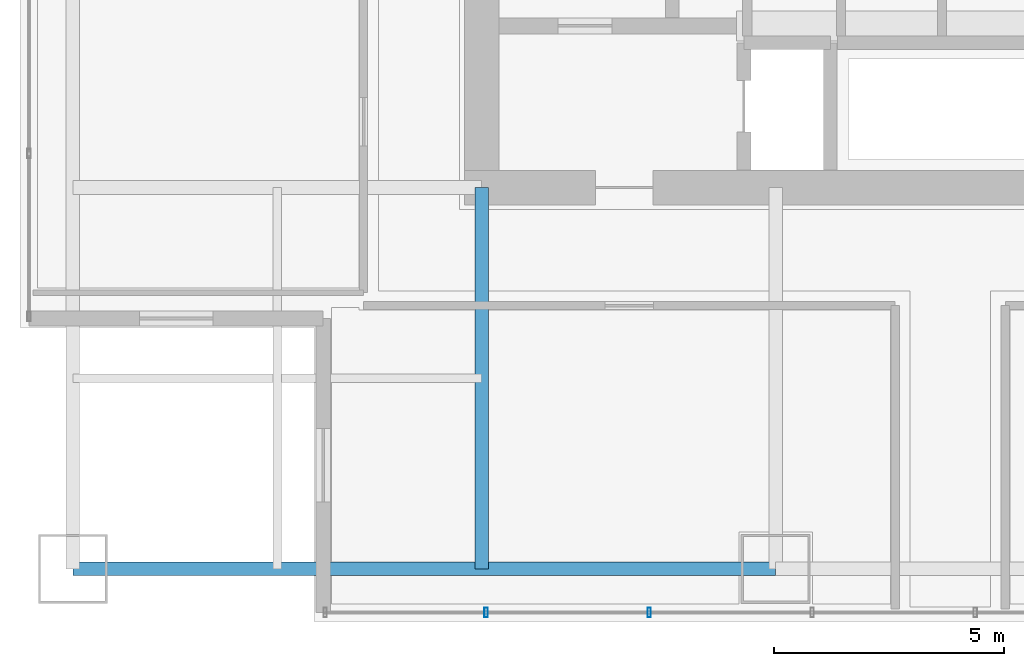
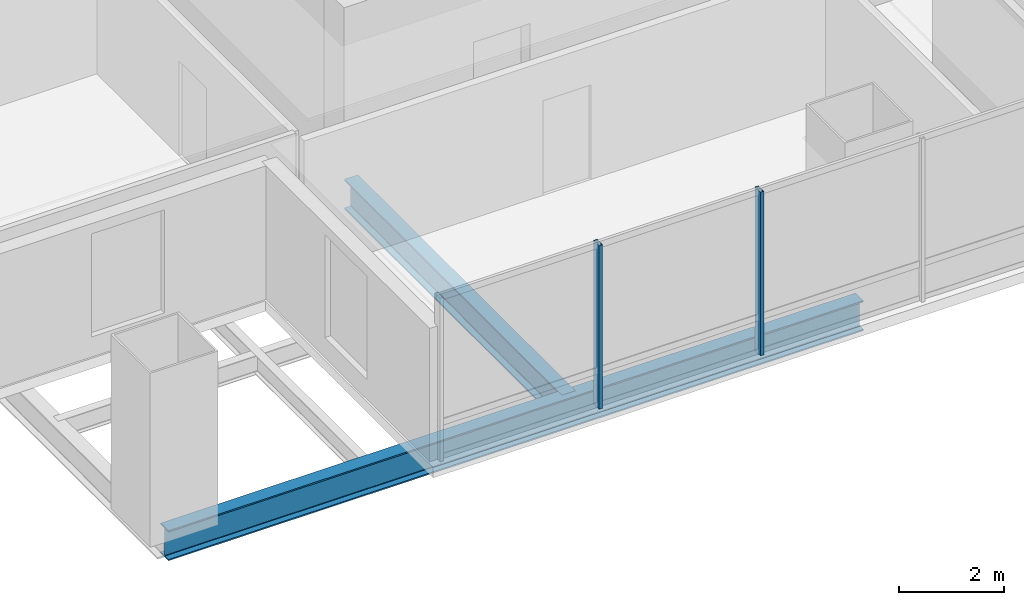
# One storey, part 3 of 34: 2 beams, 2 members, 1 element without a shape of its own.
"""IFC4 building model written with IfcOpenShell, lengths in metres."""

from ifc_helpers import new_model, si_unit, direction, frame, origin, origin_2d, place, context, subcontext, project, spatial, hollow_rectangle, i_section, extrude, material, material_profile, profile_set, type_object, element, aggregate, save


model = new_model("IFC4")

# Units and contexts
model_context = context("Model", 3, precision=1e-05, world=origin(), true_north=direction((0.0, 1.0)))
body_context = subcontext(model_context, "Body", "Model", "MODEL_VIEW")
ifc_project = project(units=[si_unit("LENGTHUNIT", "METRE"), si_unit("AREAUNIT", "SQUARE_METRE"), si_unit("VOLUMEUNIT", "CUBIC_METRE"), si_unit("PLANEANGLEUNIT", "RADIAN"), si_unit("MASSUNIT", "GRAM", prefix="KILO")], contexts=[model_context])

# Site, building, storey
site_placement = place(None, origin())
site = spatial("IfcSite", under=ifc_project, at=site_placement, CompositionType="ELEMENT")
building_placement = place(site_placement, origin())
building = spatial("IfcBuilding", under=site, at=building_placement, Name="Punatoya Terracotta Tower", CompositionType="ELEMENT")
storey_placement = place(building_placement, frame((0.0, 0.0, 117.300048828125)))
storey = spatial("IfcBuildingStorey", under=building, at=storey_placement, Name="L27", CompositionType="ELEMENT", Elevation=117.300048828125)

# Beams
ifc_material_1 = material(Name="Steel S355", Category="steel")
ifc_material_profile_1 = material_profile(ifc_material_1, i_section(OverallWidth=0.300048828125, OverallDepth=0.699951171875, WebThickness=0.01708984375, FlangeThickness=0.031982421875, FilletRadius=0.01806640625, at=origin_2d()))
ifc_profile_set_1 = profile_set([ifc_material_profile_1], Name="Steel S355")
beam_type = type_object("IfcBeamType", Name="BM-PRI-700", PredefinedType="BEAM", material=ifc_profile_set_1)
beam_1_placement = place(storey_placement, frame((-19.10009765625, -17.5, -0.590087890625), z_axis=(1.0, 0.0, 0.0), x_axis=(0.0, 1.0, 0.0)))
element("IfcBeam", 1, at=beam_1_placement, inside=storey, type_object=beam_type, Name="BM-L27-RG-S1", PredefinedType="BEAM", context=body_context, shape_type="SweptSolid", body=[
    extrude(i_section(OverallWidth=0.300048828125, OverallDepth=0.699951171875, WebThickness=0.01708984375, FlangeThickness=0.031982421875, FilletRadius=0.01806640625, at=origin_2d()), origin(), (0.0, 0.0, 1.0), 15.300048828125),
])
beam_2_placement = place(storey_placement, frame((-10.199951171875, -17.5, -0.590087890625), z_axis=(0.0, 1.0, 0.0), x_axis=(-1.0, 0.0, 0.0)))
element("IfcBeam", 2, at=beam_2_placement, inside=storey, type_object=beam_type, Name="BM-L27-PR-S1", PredefinedType="BEAM", context=body_context, shape_type="SweptSolid", body=[
    extrude(i_section(OverallWidth=0.300048828125, OverallDepth=0.699951171875, WebThickness=0.01708984375, FlangeThickness=0.031982421875, FilletRadius=0.01806640625, at=origin_2d()), origin(), (0.0, 0.0, 1.0), 8.300048828125),
])

# Curtain wall, members
ifc_material_2 = material(Name="Aluminium 6063-T6 + Double Low-E Glass", Category="aluminium")
curtain_wall_type = type_object("IfcCurtainWallType", Name="CW-M1", PredefinedType="NOTDEFINED", material=ifc_material_2)
curtain_wall_placement = place(storey_placement, origin())
curtain_wall = element("IfcCurtainWall", 3, at=curtain_wall_placement, inside=storey, type_object=curtain_wall_type, Name="L27 Curtain Wall CW-L27-S01-1", PredefinedType="NOTDEFINED")
ifc_material_3 = material(Name="Aluminium 6063-T6", Category="aluminium")
ifc_material_profile_2 = material_profile(ifc_material_3, hollow_rectangle(XDim=0.074951171875, YDim=0.2099609375, WallThickness=0.00439453125, at=origin_2d()))
ifc_profile_set_2 = profile_set([ifc_material_profile_2], Name="Aluminium 6063-T6")
member_type = type_object("IfcMemberType", Name="CW-MUL-M1", PredefinedType="MULLION", material=ifc_profile_set_2)
member_1_placement = place(storey_placement, frame((-10.101318359375, -18.449951171875, 0.0), z_axis=(0.0, 0.0, 1.0), x_axis=(1.0, 0.0, 0.0)))
member_1 = element("IfcMember", 4, at=member_1_placement, type_object=member_type, Name="CW-L27-S01-1 Mullion 01", PredefinedType="MULLION", context=body_context, shape_type="SweptSolid", body=[
    extrude(hollow_rectangle(XDim=0.074951171875, YDim=0.2099609375, WallThickness=0.00439453125, at=origin_2d()), origin(), (0.0, 0.0, 1.0), 3.81005859375),
])
member_2_placement = place(storey_placement, frame((-6.552490234375, -18.449951171875, 0.0), z_axis=(0.0, 0.0, 1.0), x_axis=(1.0, 0.0, 0.0)))
member_2 = element("IfcMember", 5, at=member_2_placement, type_object=member_type, Name="CW-L27-S01-1 Mullion 02", PredefinedType="MULLION", context=body_context, shape_type="SweptSolid", body=[
    extrude(hollow_rectangle(XDim=0.074951171875, YDim=0.2099609375, WallThickness=0.00439453125, at=origin_2d()), origin(), (0.0, 0.0, 1.0), 3.81005859375),
])
aggregate(curtain_wall, [member_1, member_2])

save(model, "model.ifc")
